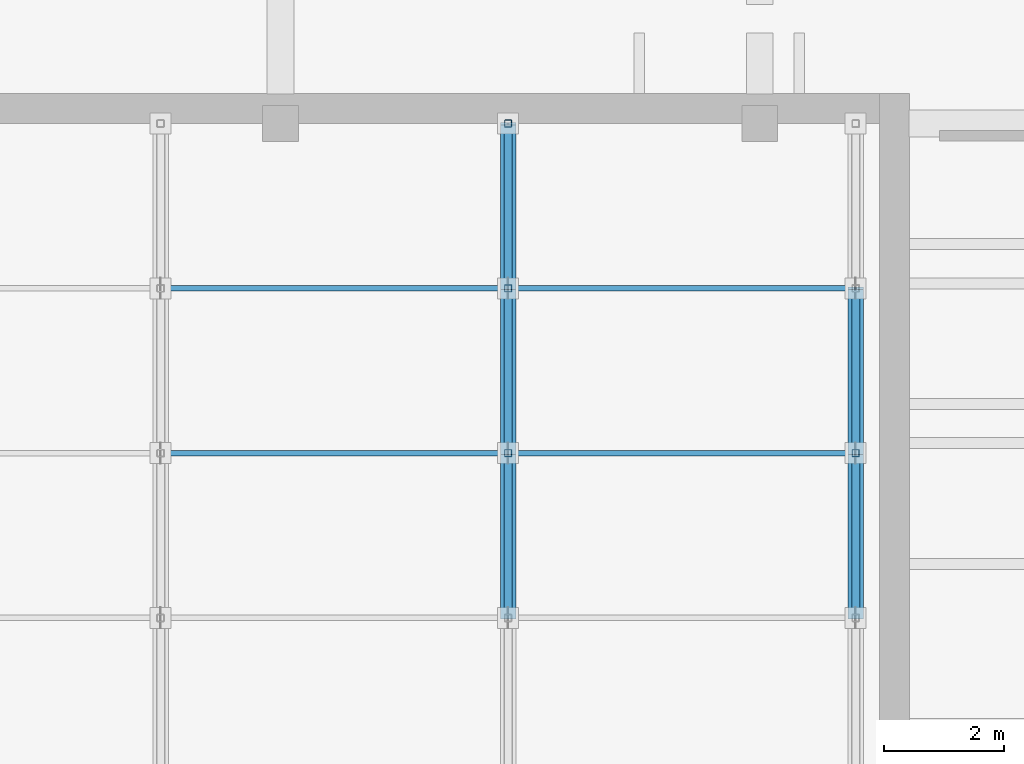
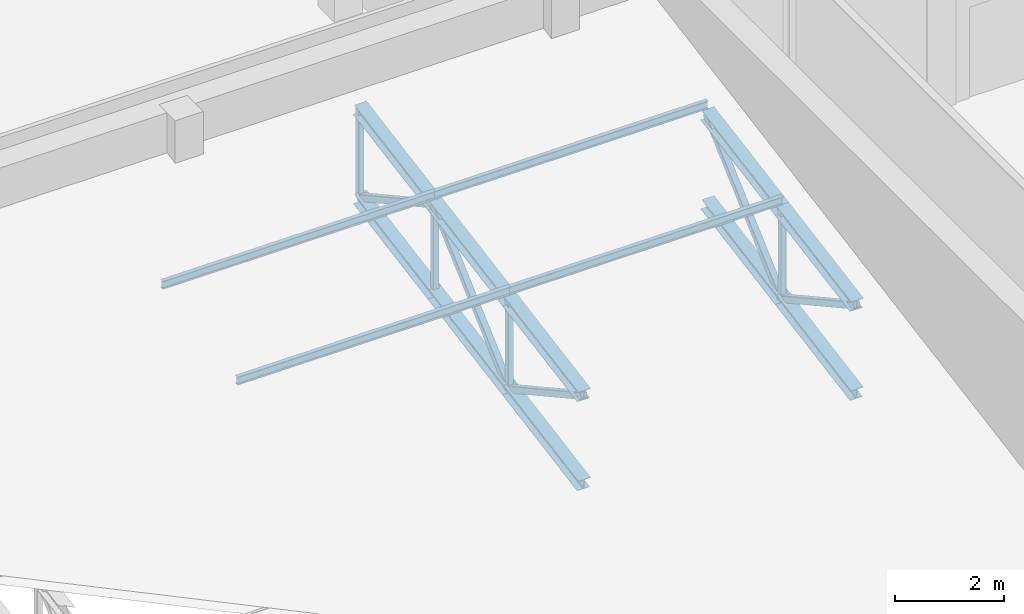
# One storey, part 21 of 132: 23 members.
"""IFC4 building model written with IfcOpenShell, lengths in metres."""

from ifc_helpers import new_model, si_unit, direction, frame, origin, origin_2d, place, context, subcontext, project, spatial, hollow_rectangle, i_section, extrude, material, material_profile, profile_set, type_object, element, save


model = new_model("IFC4")

# Units and contexts
model_context = context("Model", 3, precision=1e-05, world=origin(), true_north=direction((0.0, 1.0)))
body_context = subcontext(model_context, "Body", "Model", "MODEL_VIEW")
ifc_project = project(units=[si_unit("LENGTHUNIT", "METRE"), si_unit("AREAUNIT", "SQUARE_METRE"), si_unit("VOLUMEUNIT", "CUBIC_METRE"), si_unit("PLANEANGLEUNIT", "RADIAN"), si_unit("MASSUNIT", "GRAM", prefix="KILO")], contexts=[model_context])

# Site, building, storey
site_placement = place(None, origin())
site = spatial("IfcSite", under=ifc_project, at=site_placement, CompositionType="ELEMENT")
building_placement = place(site_placement, origin())
building = spatial("IfcBuilding", under=site, at=building_placement, Name="Lunette Opera House", CompositionType="ELEMENT")
storey_placement = place(building_placement, frame((0.0, 0.0, 17.0)))
storey = spatial("IfcBuildingStorey", under=building, at=storey_placement, Name="L03", CompositionType="ELEMENT", Elevation=17.0)

# Members
ifc_material_1 = material(Name="Steel S355", Category="steel")
ifc_material_profile_1 = material_profile(ifc_material_1, i_section(OverallWidth=0.260009765625, OverallDepth=0.25, WebThickness=0.007568359375, FlangeThickness=0.012451171875, FilletRadius=0.02392578125, at=origin_2d()), Name="HEA 260")
ifc_profile_set_1 = profile_set([ifc_material_profile_1], Name="Steel S355")
member_type_1 = type_object("IfcMemberType", Name="CHORD HEA 260", PredefinedType="CHORD", material=ifc_profile_set_1)
for number, where, z_axis, x_axis, name in (
    (1, (27.800048828125, 79.75, 2.718994140625), (0.0, 0.984794998673, 0.173720495593), (-1.0, 0.0, 0.0), "mem-RW-L03-RW-TR04-TC6"),
    (2, (27.800048828125, 79.75, 0.718994140625), (0.0, 0.984794998673, 0.173720495593), (-1.0, 0.0, 0.0), "mem-RW-L03-RW-TR04-BC6"),
    (3, (27.800048828125, 82.5, 3.2041015625), (0.0, 0.984809952442, 0.173635703618), (-1.0, 0.0, 0.0), "mem-RW-L03-RW-TR04-TC7"),
    (4, (27.800048828125, 82.5, 1.2041015625), (0.0, 0.984809952442, 0.173635703618), (-1.0, 0.0, 0.0), "mem-RW-L03-RW-TR04-BC7"),
    (5, (27.800048828125, 85.25, 3.68896484375), (0.0, 0.984794998673, 0.173720495593), (-1.0, 0.0, 0.0), "mem-RW-L03-RW-TR04-TC8"),
    (6, (27.800048828125, 85.25, 1.68896484375), (0.0, 0.984794998673, 0.173720495593), (-1.0, 0.0, 0.0), "mem-RW-L03-RW-TR04-BC8"),
    (7, (33.60009765625, 79.75, 2.718994140625), (0.0, 0.984794998673, 0.173720495593), (-1.0, 0.0, 0.0), "mem-RW-L03-RW-TR05-TC6"),
    (8, (33.60009765625, 79.75, 0.718994140625), (0.0, 0.984794998673, 0.173720495593), (-1.0, 0.0, 0.0), "mem-RW-L03-RW-TR05-BC6"),
    (9, (33.60009765625, 82.5, 3.2041015625), (0.0, 0.984809952442, 0.173635703618), (-1.0, 0.0, 0.0), "mem-RW-L03-RW-TR05-TC7"),
    (10, (33.60009765625, 82.5, 1.2041015625), (0.0, 0.984809952442, 0.173635703618), (-1.0, 0.0, 0.0), "mem-RW-L03-RW-TR05-BC7"),
):
    element("IfcMember", number, at=place(storey_placement, frame(where, z_axis=z_axis, x_axis=x_axis)), inside=storey, type_object=member_type_1, Name=name, PredefinedType="CHORD", context=body_context, shape_type="SweptSolid", body=[
        extrude(i_section(OverallWidth=0.260009765625, OverallDepth=0.25, WebThickness=0.007568359375, FlangeThickness=0.012451171875, FilletRadius=0.02392578125, at=origin_2d()), origin(), (0.0, 0.0, 1.0), 2.79248046875),
    ])
ifc_material_2 = material(Name="Steel S355", Category="steel")
ifc_material_profile_2 = material_profile(ifc_material_2, hollow_rectangle(XDim=0.139892578125, YDim=0.139892578125, WallThickness=0.006103515625, InnerFilletRadius=0.006103515625, OuterFilletRadius=0.011962890625, at=origin_2d()), Name="RHS 140X140X6")
ifc_profile_set_2 = profile_set([ifc_material_profile_2], Name="Steel S355")
member_type_2 = type_object("IfcMemberType", Name="DIAGONAL RHS 140X140X6", PredefinedType="BRACE", material=ifc_profile_set_2)
member_1_placement = place(storey_placement, frame((27.800048828125, 79.75, 2.718994140625), z_axis=(0.0, 0.875893925299, -0.482503711513), x_axis=(-1.0, 0.0, 0.0)))
element("IfcMember", 11, at=member_1_placement, inside=storey, type_object=member_type_2, Name="mem-RW-L03-RW-TR04-TD6", PredefinedType="BRACE", context=body_context, shape_type="SweptSolid", body=[
    extrude(hollow_rectangle(XDim=0.139892578125, YDim=0.139892578125, WallThickness=0.006103515625, InnerFilletRadius=0.006103515625, OuterFilletRadius=0.011962890625, at=origin_2d()), origin(), (0.0, 0.0, 1.0), 3.1396484375),
])
member_2_placement = place(storey_placement, frame((27.800048828125, 82.5, 1.2041015625), z_axis=(0.0, 0.741969451931, 0.670433689787), x_axis=(-1.0, 0.0, 0.0)))
element("IfcMember", 12, at=member_2_placement, inside=storey, type_object=member_type_2, Name="mem-RW-L03-RW-TR04-TD7", PredefinedType="BRACE", context=body_context, shape_type="SweptSolid", body=[
    extrude(hollow_rectangle(XDim=0.139892578125, YDim=0.139892578125, WallThickness=0.006103515625, InnerFilletRadius=0.006103515625, OuterFilletRadius=0.011962890625, at=origin_2d()), origin(), (0.0, 0.0, 1.0), 3.706298828125),
])
for number, where, z_axis, x_axis, name in (
    (13, (27.800048828125, 85.25, 3.68896484375), (0.0, 0.875893925299, -0.482503711513), (-1.0, 0.0, 0.0), "mem-RW-L03-RW-TR04-TD8"),
    (14, (33.60009765625, 79.75, 2.718994140625), (0.0, 0.875893925299, -0.482503711513), (-1.0, 0.0, 0.0), "mem-RW-L03-RW-TR05-TD6"),
):
    element("IfcMember", number, at=place(storey_placement, frame(where, z_axis=z_axis, x_axis=x_axis)), inside=storey, type_object=member_type_2, Name=name, PredefinedType="BRACE", context=body_context, shape_type="SweptSolid", body=[
        extrude(hollow_rectangle(XDim=0.139892578125, YDim=0.139892578125, WallThickness=0.006103515625, InnerFilletRadius=0.006103515625, OuterFilletRadius=0.011962890625, at=origin_2d()), origin(), (0.0, 0.0, 1.0), 3.1396484375),
    ])
member_3_placement = place(storey_placement, frame((33.60009765625, 82.5, 1.2041015625), z_axis=(0.0, 0.741969451931, 0.670433689787), x_axis=(-1.0, 0.0, 0.0)))
element("IfcMember", 15, at=member_3_placement, inside=storey, type_object=member_type_2, Name="mem-RW-L03-RW-TR05-TD7", PredefinedType="BRACE", context=body_context, shape_type="SweptSolid", body=[
    extrude(hollow_rectangle(XDim=0.139892578125, YDim=0.139892578125, WallThickness=0.006103515625, InnerFilletRadius=0.006103515625, OuterFilletRadius=0.011962890625, at=origin_2d()), origin(), (0.0, 0.0, 1.0), 3.706298828125),
])
ifc_material_3 = material(Name="Steel S355", Category="steel")
ifc_material_profile_3 = material_profile(ifc_material_3, i_section(OverallWidth=0.091064453125, OverallDepth=0.179931640625, WebThickness=0.00537109375, FlangeThickness=0.008056640625, FilletRadius=0.009033203125, at=origin_2d()), Name="IPE 180")
ifc_profile_set_3 = profile_set([ifc_material_profile_3], Name="Steel S355")
member_type_3 = type_object("IfcMemberType", Name="PURLIN IPE 180", PredefinedType="PURLIN", material=ifc_profile_set_3)
for number, where, z_axis, x_axis, name in (
    (16, (22.0, 82.5, 3.4189453125), (1.0, 0.0, 0.0), (0.0, 1.0, 0.0), "mem-RW-L03-RW-PU7-3"),
    (17, (27.800048828125, 82.5, 3.4189453125), (1.0, 0.0, 0.0), (0.0, 1.0, 0.0), "mem-RW-L03-RW-PU7-4"),
    (18, (22.0, 85.25, 3.904052734375), (1.0, 0.0, 0.0), (0.0, 1.0, 0.0), "mem-RW-L03-RW-PU8-3"),
    (19, (27.800048828125, 85.25, 3.904052734375), (1.0, 0.0, 0.0), (0.0, 1.0, 0.0), "mem-RW-L03-RW-PU8-4"),
):
    element("IfcMember", number, at=place(storey_placement, frame(where, z_axis=z_axis, x_axis=x_axis)), inside=storey, type_object=member_type_3, Name=name, PredefinedType="PURLIN", context=body_context, shape_type="SweptSolid", body=[
        extrude(i_section(OverallWidth=0.091064453125, OverallDepth=0.179931640625, WebThickness=0.00537109375, FlangeThickness=0.008056640625, FilletRadius=0.009033203125, at=origin_2d()), origin(), (0.0, 0.0, 1.0), 5.800048828125),
    ])
ifc_material_4 = material(Name="Steel S355", Category="steel")
ifc_material_profile_4 = material_profile(ifc_material_4, hollow_rectangle(XDim=0.1201171875, YDim=0.1201171875, WallThickness=0.0048828125, InnerFilletRadius=0.0048828125, OuterFilletRadius=0.010009765625, at=origin_2d()), Name="RHS 120X120X5")
ifc_profile_set_4 = profile_set([ifc_material_profile_4], Name="Steel S355")
member_type_4 = type_object("IfcMemberType", Name="VERTICAL RHS 120X120X5", PredefinedType="POST", material=ifc_profile_set_4)
for number, where, z_axis, x_axis, name in (
    (20, (27.800048828125, 82.5, 1.2041015625), (0.0, 0.0, 1.0), (1.0, 0.0, 0.0), "mem-RW-L03-RW-TR04-TV7"),
    (21, (27.800048828125, 85.25, 1.68896484375), (0.0, 0.0, 1.0), (1.0, 0.0, 0.0), "mem-RW-L03-RW-TR04-TV8"),
    (22, (27.800048828125, 88.0, 2.174072265625), (0.0, 0.0, 1.0), (1.0, 0.0, 0.0), "mem-RW-L03-RW-TR04-TV9"),
    (23, (33.60009765625, 82.5, 1.2041015625), (0.0, 0.0, 1.0), (1.0, 0.0, 0.0), "mem-RW-L03-RW-TR05-TV7"),
):
    element("IfcMember", number, at=place(storey_placement, frame(where, z_axis=z_axis, x_axis=x_axis)), inside=storey, type_object=member_type_4, Name=name, PredefinedType="POST", context=body_context, shape_type="SweptSolid", body=[
        extrude(hollow_rectangle(XDim=0.1201171875, YDim=0.1201171875, WallThickness=0.0048828125, InnerFilletRadius=0.0048828125, OuterFilletRadius=0.010009765625, at=origin_2d()), origin(), (0.0, 0.0, 1.0), 2.0),
    ])

save(model, "model.ifc")
